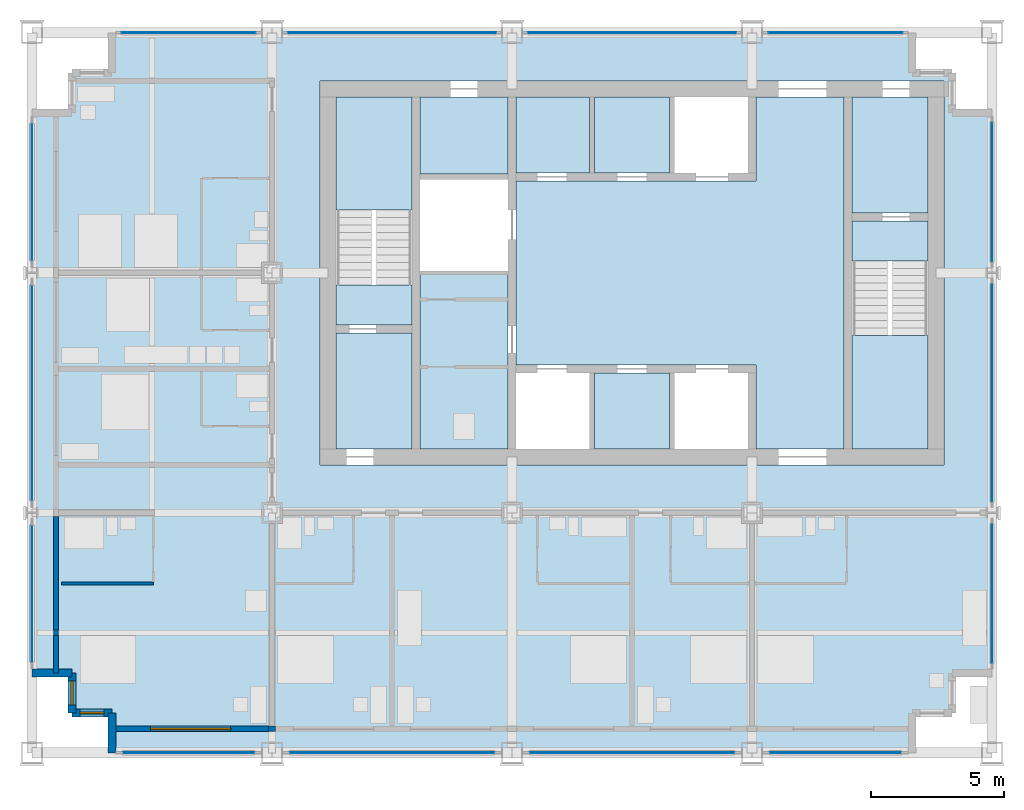
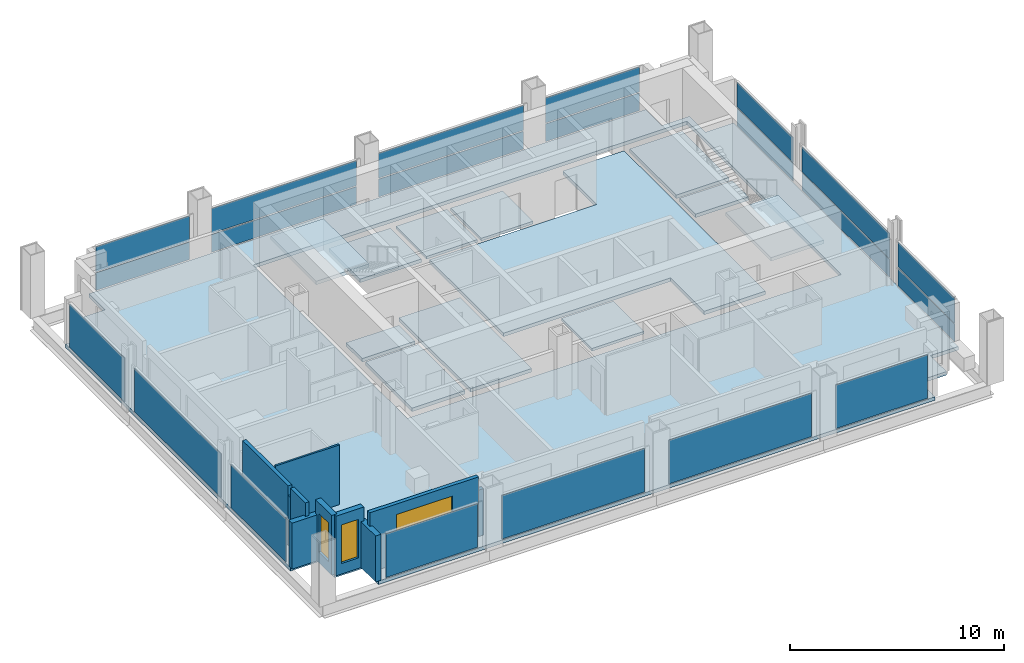
# One storey, part 5 of 12: 21 plates, 13 slabs, 10 walls, 3 windows, 3 openings, 16 elements without a shape of their own.
"""IFC4 building model written with IfcOpenShell, lengths in metres."""

from ifc_helpers import new_model, si_unit, direction, frame, frame_2d, origin, origin_2d, place, context, subcontext, project, spatial, polyline, rectangle, outline, extrude, material, layer, layer_set, type_object, element, fill, aggregate, save


model = new_model("IFC4")

# Units and contexts
model_context = context("Model", 3, precision=1e-05, world=origin(), true_north=direction((0.0, 1.0)))
body_context = subcontext(model_context, "Body", "Model", "MODEL_VIEW")
ifc_project = project(units=[si_unit("LENGTHUNIT", "METRE"), si_unit("AREAUNIT", "SQUARE_METRE"), si_unit("VOLUMEUNIT", "CUBIC_METRE"), si_unit("PLANEANGLEUNIT", "RADIAN"), si_unit("MASSUNIT", "GRAM", prefix="KILO")], contexts=[model_context])

# Site, building, storey
site_placement = place(None, origin())
site = spatial("IfcSite", under=ifc_project, at=site_placement, CompositionType="ELEMENT")
building_placement = place(site_placement, origin())
building = spatial("IfcBuilding", under=site, at=building_placement, Name="Loomwork Tower", CompositionType="ELEMENT")
storey_placement = place(building_placement, frame((0.0, 0.0, 230.199951171875)))
storey = spatial("IfcBuildingStorey", under=building, at=storey_placement, Name="L63", CompositionType="ELEMENT", Elevation=230.199951171875)

# Slabs
ifc_material_1 = material(Name="Concrete 5000 psi (34 MPa) on composite metal deck", Category="concrete")
ifc_layer_1 = layer(ifc_material_1, 0.199951171875)
ifc_layer_set_1 = layer_set([ifc_layer_1], Name="Floor slab 200")
slab_type_1 = type_object("IfcSlabType", Name="Floor slab 200", PredefinedType="FLOOR", material=ifc_layer_set_1)
slab_1_placement = place(storey_placement, frame((0.0, 0.0, -0.199951171875)))
element("IfcSlab", 1, at=slab_1_placement, inside=storey, type_object=slab_type_1, Name="Floor slab L63", PredefinedType="FLOOR", context=body_context, shape_type="SweptSolid", body=[
    extrude(outline(polyline([(3.0, 1.5), (1.5, 1.5), (1.5, 3.0), (0.0, 3.0), (0.0, 24.0), (1.5, 24.0), (1.5, 25.5), (3.0, 25.5), (3.0, 27.0), (33.0, 27.0), (33.0, 25.5), (34.5, 25.5), (34.5, 24.0), (36.0, 24.0), (36.0, 3.0), (34.5, 3.0), (34.5, 1.5), (33.0, 1.5), (33.0, 0.0), (3.0, 0.0), (3.0, 1.5)]), holes=[polyline([(10.800048828125, 11.39990234375), (10.800048828125, 11.39990234375), (10.800048828125, 10.800048828125), (34.199951171875, 10.800048828125), (34.199951171875, 11.39990234375), (34.199951171875, 11.39990234375), (34.199951171875, 24.60009765625), (34.199951171875, 25.199951171875), (10.800048828125, 25.199951171875), (10.800048828125, 24.60009765625), (10.800048828125, 11.39990234375)])]), origin(), (0.0, 0.0, 1.0), 0.199951171875),
])
slab_2_placement = place(storey_placement, frame((0.0, 0.0, -0.199951171875)))
element("IfcSlab", 2, at=slab_2_placement, inside=storey, type_object=slab_type_1, Name="Floor slab L63", PredefinedType="FLOOR", context=body_context, shape_type="SweptSolid", body=[
    extrude(outline(polyline([(30.449951171875, 24.60009765625), (30.449951171875, 11.39990234375), (27.14990234375, 11.39990234375), (27.14990234375, 14.25), (27.14990234375, 14.550048828125), (18.14990234375, 14.550048828125), (18.14990234375, 21.449951171875), (27.14990234375, 21.449951171875), (27.14990234375, 21.75), (27.14990234375, 24.60009765625), (30.449951171875, 24.60009765625)])), origin(), (0.0, 0.0, 1.0), 0.199951171875),
])
slab_3_placement = place(storey_placement, frame((0.0, 0.0, -0.199951171875)))
element("IfcSlab", 3, at=slab_3_placement, inside=storey, type_object=slab_type_1, Name="Floor slab L63", PredefinedType="FLOOR", context=body_context, shape_type="SweptSolid", body=[
    extrude(outline(polyline([(14.550048828125, 11.39990234375), (14.550048828125, 18.074951171875), (17.85009765625, 18.074951171875), (17.85009765625, 11.39990234375), (14.550048828125, 11.39990234375)])), origin(), (0.0, 0.0, 1.0), 0.199951171875),
])
slab_4_placement = place(storey_placement, frame((0.0, 0.0, -0.199951171875)))
element("IfcSlab", 4, at=slab_4_placement, inside=storey, type_object=slab_type_1, Name="Floor slab L63", PredefinedType="FLOOR", context=body_context, shape_type="SweptSolid", body=[
    extrude(outline(polyline([(33.60009765625, 20.25), (30.75, 20.25), (30.75, 24.60009765625), (33.60009765625, 24.60009765625), (33.60009765625, 20.25)])), origin(), (0.0, 0.0, 1.0), 0.199951171875),
])
slab_5_placement = place(storey_placement, frame((0.0, 0.0, -0.199951171875)))
element("IfcSlab", 5, at=slab_5_placement, inside=storey, type_object=slab_type_1, Name="Floor slab L63", PredefinedType="FLOOR", context=body_context, shape_type="SweptSolid", body=[
    extrude(outline(polyline([(14.25, 15.75), (14.25, 11.39990234375), (11.39990234375, 11.39990234375), (11.39990234375, 15.75), (14.25, 15.75)])), origin(), (0.0, 0.0, 1.0), 0.199951171875),
])
slab_6_placement = place(storey_placement, frame((0.0, 0.0, -0.199951171875)))
element("IfcSlab", 6, at=slab_6_placement, inside=storey, type_object=slab_type_1, Name="Floor slab L63", PredefinedType="FLOOR", context=body_context, shape_type="SweptSolid", body=[
    extrude(outline(polyline([(14.550048828125, 21.699951171875), (14.550048828125, 24.60009765625), (17.85009765625, 24.60009765625), (17.85009765625, 21.699951171875), (14.550048828125, 21.699951171875)])), origin(), (0.0, 0.0, 1.0), 0.199951171875),
])

# Curtain wall, plate
ifc_material_2 = material(Name="Aluminium curtain wall frame", Category="aluminium")
curtain_wall_type_1 = type_object("IfcCurtainWallType", Name="Outer skin glazing suites", PredefinedType="NOTDEFINED", material=ifc_material_2)
curtain_wall_1_placement = place(storey_placement, origin())
curtain_wall_1 = element("IfcCurtainWall", 7, at=curtain_wall_1_placement, inside=storey, type_object=curtain_wall_type_1, Name="Outer skin glazing suites cw/S-0", PredefinedType="NOTDEFINED")
ifc_material_3 = material(Name="Clear laminated glass", Category="glass")
ifc_layer_2 = layer(ifc_material_3, 0.02392578125)
ifc_layer_set_2 = layer_set([ifc_layer_2], Name="Outer skin glazing suites panel")
plate_type_1 = type_object("IfcPlateType", Name="Outer skin glazing suites panel", PredefinedType="CURTAIN_PANEL", material=ifc_layer_set_2)
plate_1_placement = place(storey_placement, frame((5.875, 0.0, 0.06494140625), z_axis=(0.0, 0.0, 1.0), x_axis=(1.0, 0.0, 0.0)))
plate_1 = element("IfcPlate", 8, at=plate_1_placement, type_object=plate_type_1, Name="CW2 panel 1.1", PredefinedType="CURTAIN_PANEL", context=body_context, shape_type="SweptSolid", body=[
    extrude(rectangle(XDim=4.949951171875, YDim=0.02392578125, at=origin_2d()), origin(), (0.0, 0.0, 1.0), 2.490234375),
])
aggregate(curtain_wall_1, [plate_1])

curtain_wall_2_placement = place(storey_placement, origin())
curtain_wall_2 = element("IfcCurtainWall", 9, at=curtain_wall_2_placement, inside=storey, type_object=curtain_wall_type_1, Name="Outer skin glazing suites cw/S-9", PredefinedType="NOTDEFINED")
plate_2_placement = place(storey_placement, frame((13.5, 0.0, 0.06494140625), z_axis=(0.0, 0.0, 1.0), x_axis=(1.0, 0.0, 0.0)))
plate_2 = element("IfcPlate", 10, at=plate_2_placement, type_object=plate_type_1, Name="CW2 panel 1.1", PredefinedType="CURTAIN_PANEL", context=body_context, shape_type="SweptSolid", body=[
    extrude(rectangle(XDim=7.699951171875, YDim=0.02392578125, at=origin_2d()), origin(), (0.0, 0.0, 1.0), 2.490234375),
])
aggregate(curtain_wall_2, [plate_2])

curtain_wall_3_placement = place(storey_placement, origin())
curtain_wall_3 = element("IfcCurtainWall", 11, at=curtain_wall_3_placement, inside=storey, type_object=curtain_wall_type_1, Name="Outer skin glazing suites cw/S-18", PredefinedType="NOTDEFINED")
plate_3_placement = place(storey_placement, frame((22.5, 0.0, 0.06494140625), z_axis=(0.0, 0.0, 1.0), x_axis=(1.0, 0.0, 0.0)))
plate_3 = element("IfcPlate", 12, at=plate_3_placement, type_object=plate_type_1, Name="CW2 panel 1.1", PredefinedType="CURTAIN_PANEL", context=body_context, shape_type="SweptSolid", body=[
    extrude(rectangle(XDim=7.699951171875, YDim=0.02392578125, at=origin_2d()), origin(), (0.0, 0.0, 1.0), 2.490234375),
])
aggregate(curtain_wall_3, [plate_3])

curtain_wall_4_placement = place(storey_placement, origin())
curtain_wall_4 = element("IfcCurtainWall", 13, at=curtain_wall_4_placement, inside=storey, type_object=curtain_wall_type_1, Name="Outer skin glazing suites cw/S-27", PredefinedType="NOTDEFINED")
plate_4_placement = place(storey_placement, frame((30.125, 0.0, 0.06494140625), z_axis=(0.0, 0.0, 1.0), x_axis=(1.0, 0.0, 0.0)))
plate_4 = element("IfcPlate", 14, at=plate_4_placement, type_object=plate_type_1, Name="CW2 panel 1.1", PredefinedType="CURTAIN_PANEL", context=body_context, shape_type="SweptSolid", body=[
    extrude(rectangle(XDim=4.949951171875, YDim=0.02392578125, at=origin_2d()), origin(), (0.0, 0.0, 1.0), 2.490234375),
])
aggregate(curtain_wall_4, [plate_4])

curtain_wall_5_placement = place(storey_placement, origin())
curtain_wall_5 = element("IfcCurtainWall", 15, at=curtain_wall_5_placement, inside=storey, type_object=curtain_wall_type_1, Name="Outer skin glazing suites cw/W-0", PredefinedType="NOTDEFINED")
plate_5_placement = place(storey_placement, frame((0.0, 5.969482421875, 0.06494140625), z_axis=(0.0, 0.0, 1.0), x_axis=(0.0, -1.0, 0.0)))
plate_5 = element("IfcPlate", 16, at=plate_5_placement, type_object=plate_type_1, Name="CW2 panel 1.1", PredefinedType="CURTAIN_PANEL", context=body_context, shape_type="SweptSolid", body=[
    extrude(rectangle(XDim=5.13916015625, YDim=0.02392578125, at=origin_2d()), origin(), (0.0, 0.0, 1.0), 2.490234375),
])
aggregate(curtain_wall_5, [plate_5])

curtain_wall_6_placement = place(storey_placement, origin())
curtain_wall_6 = element("IfcCurtainWall", 17, at=curtain_wall_6_placement, inside=storey, type_object=curtain_wall_type_1, Name="Outer skin glazing suites cw/W-9", PredefinedType="NOTDEFINED")
plate_6_placement = place(storey_placement, frame((0.0, 13.5, 0.06494140625), z_axis=(0.0, 0.0, 1.0), x_axis=(0.0, -1.0, 0.0)))
plate_6 = element("IfcPlate", 18, at=plate_6_placement, type_object=plate_type_1, Name="CW2 panel 1.1", PredefinedType="CURTAIN_PANEL", context=body_context, shape_type="SweptSolid", body=[
    extrude(rectangle(XDim=8.078369140625, YDim=0.02392578125, at=origin_2d()), origin(), (0.0, 0.0, 1.0), 2.490234375),
])
aggregate(curtain_wall_6, [plate_6])

curtain_wall_7_placement = place(storey_placement, origin())
curtain_wall_7 = element("IfcCurtainWall", 19, at=curtain_wall_7_placement, inside=storey, type_object=curtain_wall_type_1, Name="Outer skin glazing suites cw/W-18", PredefinedType="NOTDEFINED")
plate_7_placement = place(storey_placement, frame((0.0, 21.030517578125, 0.06494140625), z_axis=(0.0, 0.0, 1.0), x_axis=(0.0, -1.0, 0.0)))
plate_7 = element("IfcPlate", 20, at=plate_7_placement, type_object=plate_type_1, Name="CW2 panel 1.1", PredefinedType="CURTAIN_PANEL", context=body_context, shape_type="SweptSolid", body=[
    extrude(rectangle(XDim=5.13916015625, YDim=0.02392578125, at=origin_2d()), origin(), (0.0, 0.0, 1.0), 2.490234375),
])
aggregate(curtain_wall_7, [plate_7])

# Slabs
ifc_material_4 = material(Name="Concrete 5000 psi (34 MPa) on composite metal deck", Category="concrete")
ifc_layer_3 = layer(ifc_material_4, 0.14990234375)
ifc_layer_set_3 = layer_set([ifc_layer_3], Name="Shaft infill floor 150")
slab_type_2 = type_object("IfcSlabType", Name="Shaft infill floor 150", PredefinedType="FLOOR", material=ifc_layer_set_3)
slab_7_placement = place(storey_placement, frame((0.0, 0.0, -0.14990234375)))
element("IfcSlab", 21, at=slab_7_placement, inside=storey, type_object=slab_type_2, Name="Shaft infill floor LS1 L63", PredefinedType="FLOOR", context=body_context, shape_type="SweptSolid", body=[
    extrude(outline(polyline([(18.14990234375, 21.75), (20.89990234375, 21.75), (20.89990234375, 24.60009765625), (18.14990234375, 24.60009765625), (18.14990234375, 21.75)])), origin(), (0.0, 0.0, 1.0), 0.14990234375),
])
slab_8_placement = place(storey_placement, frame((0.0, 0.0, -0.14990234375)))
element("IfcSlab", 22, at=slab_8_placement, inside=storey, type_object=slab_type_2, Name="Shaft infill floor LS2 L63", PredefinedType="FLOOR", context=body_context, shape_type="SweptSolid", body=[
    extrude(outline(polyline([(21.10009765625, 21.75), (23.89990234375, 21.75), (23.89990234375, 24.60009765625), (21.10009765625, 24.60009765625), (21.10009765625, 21.75)])), origin(), (0.0, 0.0, 1.0), 0.14990234375),
])
slab_9_placement = place(storey_placement, frame((0.0, 0.0, -0.14990234375)))
element("IfcSlab", 23, at=slab_9_placement, inside=storey, type_object=slab_type_2, Name="Shaft infill floor S2 L63", PredefinedType="FLOOR", context=body_context, shape_type="SweptSolid", body=[
    extrude(outline(polyline([(21.10009765625, 11.39990234375), (23.89990234375, 11.39990234375), (23.89990234375, 14.25), (21.10009765625, 14.25), (21.10009765625, 11.39990234375)])), origin(), (0.0, 0.0, 1.0), 0.14990234375),
])

# Curtain wall, plates
ifc_material_5 = material(Name="Aluminium curtain wall frame", Category="aluminium")
curtain_wall_type_2 = type_object("IfcCurtainWallType", Name="Single skin glazing corridor", PredefinedType="NOTDEFINED", material=ifc_material_5)
curtain_wall_8_placement = place(storey_placement, origin())
curtain_wall_8 = element("IfcCurtainWall", 24, at=curtain_wall_8_placement, inside=storey, type_object=curtain_wall_type_2, Name="Single skin glazing corridor cw/N-0", PredefinedType="NOTDEFINED")
ifc_material_6 = material(Name="Clear insulated glass", Category="glass")
ifc_layer_4 = layer(ifc_material_6, 0.031982421875)
ifc_layer_set_4 = layer_set([ifc_layer_4], Name="Single skin glazing corridor panel")
plate_type_2 = type_object("IfcPlateType", Name="Single skin glazing corridor panel", PredefinedType="CURTAIN_PANEL", material=ifc_layer_set_4)
plate_8_placement = place(storey_placement, frame((5.875, 27.0, 0.065185546875), z_axis=(0.0, 0.0, 1.0), x_axis=(-1.0, 0.0, 0.0)))
plate_8 = element("IfcPlate", 25, at=plate_8_placement, type_object=plate_type_2, Name="CW3 panel 1.1", PredefinedType="CURTAIN_PANEL", context=body_context, shape_type="SweptSolid", body=[
    extrude(rectangle(XDim=5.050048828125, YDim=0.031982421875, at=origin_2d()), origin(), (0.0, 0.0, 1.0), 1.00244140625),
])
plate_9_placement = place(storey_placement, frame((5.875, 27.0, 1.1328125), z_axis=(0.0, 0.0, 1.0), x_axis=(-1.0, 0.0, 0.0)))
plate_9 = element("IfcPlate", 26, at=plate_9_placement, type_object=plate_type_2, Name="CW3 panel 1.2", PredefinedType="CURTAIN_PANEL", context=body_context, shape_type="SweptSolid", body=[
    extrude(rectangle(XDim=5.050048828125, YDim=0.031982421875, at=origin_2d()), origin(), (0.0, 0.0, 1.0), 1.422607421875),
])
aggregate(curtain_wall_8, [plate_8, plate_9])

curtain_wall_9_placement = place(storey_placement, origin())
curtain_wall_9 = element("IfcCurtainWall", 27, at=curtain_wall_9_placement, inside=storey, type_object=curtain_wall_type_2, Name="Single skin glazing corridor cw/N-9", PredefinedType="NOTDEFINED")
plate_10_placement = place(storey_placement, frame((13.5, 27.0, 0.065185546875), z_axis=(0.0, 0.0, 1.0), x_axis=(-1.0, 0.0, 0.0)))
plate_10 = element("IfcPlate", 28, at=plate_10_placement, type_object=plate_type_2, Name="CW3 panel 1.1", PredefinedType="CURTAIN_PANEL", context=body_context, shape_type="SweptSolid", body=[
    extrude(rectangle(XDim=7.800048828125, YDim=0.031982421875, at=origin_2d()), origin(), (0.0, 0.0, 1.0), 1.00244140625),
])
plate_11_placement = place(storey_placement, frame((13.5, 27.0, 1.1328125), z_axis=(0.0, 0.0, 1.0), x_axis=(-1.0, 0.0, 0.0)))
plate_11 = element("IfcPlate", 29, at=plate_11_placement, type_object=plate_type_2, Name="CW3 panel 1.2", PredefinedType="CURTAIN_PANEL", context=body_context, shape_type="SweptSolid", body=[
    extrude(rectangle(XDim=7.800048828125, YDim=0.031982421875, at=origin_2d()), origin(), (0.0, 0.0, 1.0), 1.422607421875),
])
aggregate(curtain_wall_9, [plate_10, plate_11])

curtain_wall_10_placement = place(storey_placement, origin())
curtain_wall_10 = element("IfcCurtainWall", 30, at=curtain_wall_10_placement, inside=storey, type_object=curtain_wall_type_2, Name="Single skin glazing corridor cw/N-18", PredefinedType="NOTDEFINED")
plate_12_placement = place(storey_placement, frame((22.5, 27.0, 0.065185546875), z_axis=(0.0, 0.0, 1.0), x_axis=(-1.0, 0.0, 0.0)))
plate_12 = element("IfcPlate", 31, at=plate_12_placement, type_object=plate_type_2, Name="CW3 panel 1.1", PredefinedType="CURTAIN_PANEL", context=body_context, shape_type="SweptSolid", body=[
    extrude(rectangle(XDim=7.800048828125, YDim=0.031982421875, at=origin_2d()), origin(), (0.0, 0.0, 1.0), 1.00244140625),
])
plate_13_placement = place(storey_placement, frame((22.5, 27.0, 1.1328125), z_axis=(0.0, 0.0, 1.0), x_axis=(-1.0, 0.0, 0.0)))
plate_13 = element("IfcPlate", 32, at=plate_13_placement, type_object=plate_type_2, Name="CW3 panel 1.2", PredefinedType="CURTAIN_PANEL", context=body_context, shape_type="SweptSolid", body=[
    extrude(rectangle(XDim=7.800048828125, YDim=0.031982421875, at=origin_2d()), origin(), (0.0, 0.0, 1.0), 1.422607421875),
])
aggregate(curtain_wall_10, [plate_12, plate_13])

curtain_wall_11_placement = place(storey_placement, origin())
curtain_wall_11 = element("IfcCurtainWall", 33, at=curtain_wall_11_placement, inside=storey, type_object=curtain_wall_type_2, Name="Single skin glazing corridor cw/N-27", PredefinedType="NOTDEFINED")
plate_14_placement = place(storey_placement, frame((30.125, 27.0, 0.065185546875), z_axis=(0.0, 0.0, 1.0), x_axis=(-1.0, 0.0, 0.0)))
plate_14 = element("IfcPlate", 34, at=plate_14_placement, type_object=plate_type_2, Name="CW3 panel 1.1", PredefinedType="CURTAIN_PANEL", context=body_context, shape_type="SweptSolid", body=[
    extrude(rectangle(XDim=5.050048828125, YDim=0.031982421875, at=origin_2d()), origin(), (0.0, 0.0, 1.0), 1.00244140625),
])
plate_15_placement = place(storey_placement, frame((30.125, 27.0, 1.1328125), z_axis=(0.0, 0.0, 1.0), x_axis=(-1.0, 0.0, 0.0)))
plate_15 = element("IfcPlate", 35, at=plate_15_placement, type_object=plate_type_2, Name="CW3 panel 1.2", PredefinedType="CURTAIN_PANEL", context=body_context, shape_type="SweptSolid", body=[
    extrude(rectangle(XDim=5.050048828125, YDim=0.031982421875, at=origin_2d()), origin(), (0.0, 0.0, 1.0), 1.422607421875),
])
aggregate(curtain_wall_11, [plate_14, plate_15])

curtain_wall_12_placement = place(storey_placement, origin())
curtain_wall_12 = element("IfcCurtainWall", 36, at=curtain_wall_12_placement, inside=storey, type_object=curtain_wall_type_2, Name="Single skin glazing corridor cw/E-0", PredefinedType="NOTDEFINED")
plate_16_placement = place(storey_placement, frame((36.0, 5.969482421875, 0.065185546875), z_axis=(0.0, 0.0, 1.0), x_axis=(0.0, 1.0, 0.0)))
plate_16 = element("IfcPlate", 37, at=plate_16_placement, type_object=plate_type_2, Name="CW3 panel 1.1", PredefinedType="CURTAIN_PANEL", context=body_context, shape_type="SweptSolid", body=[
    extrude(rectangle(XDim=5.2392578125, YDim=0.031982421875, at=origin_2d()), origin(), (0.0, 0.0, 1.0), 1.00244140625),
])
plate_17_placement = place(storey_placement, frame((36.0, 5.969482421875, 1.1328125), z_axis=(0.0, 0.0, 1.0), x_axis=(0.0, 1.0, 0.0)))
plate_17 = element("IfcPlate", 38, at=plate_17_placement, type_object=plate_type_2, Name="CW3 panel 1.2", PredefinedType="CURTAIN_PANEL", context=body_context, shape_type="SweptSolid", body=[
    extrude(rectangle(XDim=5.2392578125, YDim=0.031982421875, at=origin_2d()), origin(), (0.0, 0.0, 1.0), 1.422607421875),
])
aggregate(curtain_wall_12, [plate_16, plate_17])

curtain_wall_13_placement = place(storey_placement, origin())
curtain_wall_13 = element("IfcCurtainWall", 39, at=curtain_wall_13_placement, inside=storey, type_object=curtain_wall_type_2, Name="Single skin glazing corridor cw/E-9", PredefinedType="NOTDEFINED")
plate_18_placement = place(storey_placement, frame((36.0, 13.5, 0.065185546875), z_axis=(0.0, 0.0, 1.0), x_axis=(0.0, 1.0, 0.0)))
plate_18 = element("IfcPlate", 40, at=plate_18_placement, type_object=plate_type_2, Name="CW3 panel 1.1", PredefinedType="CURTAIN_PANEL", context=body_context, shape_type="SweptSolid", body=[
    extrude(rectangle(XDim=8.178466796875, YDim=0.031982421875, at=origin_2d()), origin(), (0.0, 0.0, 1.0), 1.00244140625),
])
plate_19_placement = place(storey_placement, frame((36.0, 13.5, 1.1328125), z_axis=(0.0, 0.0, 1.0), x_axis=(0.0, 1.0, 0.0)))
plate_19 = element("IfcPlate", 41, at=plate_19_placement, type_object=plate_type_2, Name="CW3 panel 1.2", PredefinedType="CURTAIN_PANEL", context=body_context, shape_type="SweptSolid", body=[
    extrude(rectangle(XDim=8.178466796875, YDim=0.031982421875, at=origin_2d()), origin(), (0.0, 0.0, 1.0), 1.422607421875),
])
aggregate(curtain_wall_13, [plate_18, plate_19])

curtain_wall_14_placement = place(storey_placement, origin())
curtain_wall_14 = element("IfcCurtainWall", 42, at=curtain_wall_14_placement, inside=storey, type_object=curtain_wall_type_2, Name="Single skin glazing corridor cw/E-18", PredefinedType="NOTDEFINED")
plate_20_placement = place(storey_placement, frame((36.0, 21.030517578125, 0.065185546875), z_axis=(0.0, 0.0, 1.0), x_axis=(0.0, 1.0, 0.0)))
plate_20 = element("IfcPlate", 43, at=plate_20_placement, type_object=plate_type_2, Name="CW3 panel 1.1", PredefinedType="CURTAIN_PANEL", context=body_context, shape_type="SweptSolid", body=[
    extrude(rectangle(XDim=5.2392578125, YDim=0.031982421875, at=origin_2d()), origin(), (0.0, 0.0, 1.0), 1.00244140625),
])
plate_21_placement = place(storey_placement, frame((36.0, 21.030517578125, 1.1328125), z_axis=(0.0, 0.0, 1.0), x_axis=(0.0, 1.0, 0.0)))
plate_21 = element("IfcPlate", 44, at=plate_21_placement, type_object=plate_type_2, Name="CW3 panel 1.2", PredefinedType="CURTAIN_PANEL", context=body_context, shape_type="SweptSolid", body=[
    extrude(rectangle(XDim=5.2392578125, YDim=0.031982421875, at=origin_2d()), origin(), (0.0, 0.0, 1.0), 1.422607421875),
])
aggregate(curtain_wall_14, [plate_20, plate_21])

# Stair, slabs
ifc_material_7 = material(Name="Concrete 5000 psi (34 MPa) precast stair", Category="concrete")
stair_type_1 = type_object("IfcStairType", Name="Stair ST-A 22 risers 2850 wide", PredefinedType="HALF_TURN_STAIR", material=ifc_material_7)
stair_1_placement = place(storey_placement, origin())
stair_1 = element("IfcStair", 45, at=stair_1_placement, inside=storey, type_object=stair_type_1, Name="Stair A L63", PredefinedType="HALF_TURN_STAIR")
ifc_material_8 = material(Name="Concrete 5000 psi (34 MPa)", Category="concrete")
ifc_layer_5 = layer(ifc_material_8, 0.199951171875)
ifc_layer_set_5 = layer_set([ifc_layer_5], Name="Stair landing 200")
slab_type_3 = type_object("IfcSlabType", Name="Stair landing 200", PredefinedType="LANDING", material=ifc_layer_set_5)
slab_10_placement = place(storey_placement, frame((0.0, 0.0, -0.199951171875)))
slab_10 = element("IfcSlab", 46, at=slab_10_placement, type_object=slab_type_3, Name="ST-A landing 1", PredefinedType="LANDING", context=body_context, shape_type="SweptSolid", body=[
    extrude(outline(polyline([(11.39990234375, 16.050048828125), (14.25, 16.050048828125), (14.25, 17.550048828125), (11.39990234375, 17.550048828125), (11.39990234375, 16.050048828125)])), origin(), (0.0, 0.0, 1.0), 0.199951171875),
])
slab_11_placement = place(storey_placement, frame((0.0, 0.0, 1.60009765625)))
slab_11 = element("IfcSlab", 47, at=slab_11_placement, type_object=slab_type_3, Name="ST-A landing 2", PredefinedType="LANDING", context=body_context, shape_type="SweptSolid", body=[
    extrude(outline(polyline([(11.39990234375, 20.35009765625), (14.25, 20.35009765625), (14.25, 24.60009765625), (11.39990234375, 24.60009765625), (11.39990234375, 20.35009765625)])), origin(), (0.0, 0.0, 1.0), 0.199951171875),
])
aggregate(stair_1, [slab_10, slab_11])

ifc_material_9 = material(Name="Concrete 5000 psi (34 MPa) precast stair", Category="concrete")
stair_type_2 = type_object("IfcStairType", Name="Stair ST-B 22 risers 2850 wide", PredefinedType="HALF_TURN_STAIR", material=ifc_material_9)
stair_2_placement = place(storey_placement, origin())
stair_2 = element("IfcStair", 48, at=stair_2_placement, inside=storey, type_object=stair_type_2, Name="Stair B L63", PredefinedType="HALF_TURN_STAIR")
slab_12_placement = place(storey_placement, frame((0.0, 0.0, -0.199951171875)))
slab_12 = element("IfcSlab", 49, at=slab_12_placement, type_object=slab_type_3, Name="ST-B landing 1", PredefinedType="LANDING", context=body_context, shape_type="SweptSolid", body=[
    extrude(outline(polyline([(30.75, 18.449951171875), (33.60009765625, 18.449951171875), (33.60009765625, 19.949951171875), (30.75, 19.949951171875), (30.75, 18.449951171875)])), origin(), (0.0, 0.0, 1.0), 0.199951171875),
])
slab_13_placement = place(storey_placement, frame((0.0, 0.0, 1.60009765625)))
slab_13 = element("IfcSlab", 50, at=slab_13_placement, type_object=slab_type_3, Name="ST-B landing 2", PredefinedType="LANDING", context=body_context, shape_type="SweptSolid", body=[
    extrude(outline(polyline([(30.75, 11.39990234375), (33.60009765625, 11.39990234375), (33.60009765625, 15.64990234375), (30.75, 15.64990234375), (30.75, 11.39990234375)])), origin(), (0.0, 0.0, 1.0), 0.199951171875),
])
aggregate(stair_2, [slab_12, slab_13])

# Wall
ifc_material_10 = material(Name="Cement board on steel studs", Category="steel")
ifc_layer_6 = layer(ifc_material_10, 0.10009765625)
ifc_layer_set_6 = layer_set([ifc_layer_6], Name="En-suite partition 100")
wall_type_1 = type_object("IfcWallType", Name="En-suite partition 100", PredefinedType="PARTITIONING", material=ifc_layer_set_6)
wall_1_placement = place(storey_placement, frame((1.10009765625, 6.35009765625, 0.0), z_axis=(0.0, 0.0, 1.0), x_axis=(1.0, 0.0, 0.0)))
element("IfcWall", 51, at=wall_1_placement, inside=storey, type_object=wall_type_1, Name="En-suite wall L63 room 1", PredefinedType="PARTITIONING", context=body_context, shape_type="SweptSolid", body=[
    extrude(rectangle(XDim=3.449951171875, YDim=0.10009765625, at=frame_2d((1.72509765625, 0.0))), origin(), (0.0, 0.0, 1.0), 3.400146484375),
])

# Wall, opening, window
ifc_material_11 = material(Name="Insulated steel stud wall with gypsum lining", Category="steel")
ifc_layer_7 = layer(ifc_material_11, 0.199951171875)
ifc_layer_set_7 = layer_set([ifc_layer_7], Name="Inner skin wall 200")
wall_type_2 = type_object("IfcWallType", Name="Inner skin wall 200", PredefinedType="SOLIDWALL", material=ifc_layer_set_7)
wall_2_placement = place(storey_placement, frame((3.0, 0.89990234375, 0.0), z_axis=(0.0, 0.0, 1.0), x_axis=(1.0, 0.0, 0.0)))
wall_2 = element("IfcWall", 52, at=wall_2_placement, inside=storey, type_object=wall_type_2, Name="Inner skin wall S", PredefinedType="SOLIDWALL", context=body_context, shape_type="SweptSolid", body=[
    extrude(rectangle(XDim=5.86474609375, YDim=0.199951171875, at=frame_2d((2.932373046875, 0.0))), origin(), (0.0, 0.0, 1.0), 3.400146484375),
])
opening_1_placement = place(wall_2_placement, frame((1.449951171875, 0.0, 0.60009765625)))
opening_1 = element("IfcOpeningElement", 53, at=opening_1_placement, cuts=wall_2, Name="Opening CH1", PredefinedType="OPENING", context=body_context, shape_type="SweptSolid", body=[
    extrude(rectangle(XDim=3.0, YDim=2.199951171875, at=frame_2d((1.5, 1.10009765625))), frame((0.0, 0.10986328125, 0.0), z_axis=(0.0, -1.0, 0.0), x_axis=(1.0, 0.0, 0.0)), (0.0, 0.0, 1.0), 0.219970703125),
])
ifc_material_12 = material(Name="Aluminium frame with clear insulated glass", Category="aluminium")
window_type_1 = type_object("IfcWindowType", Name="Chicago window 3000", PartitioningType="TRIPLE_PANEL_VERTICAL", PredefinedType="WINDOW", material=ifc_material_12)
window_1_placement = place(opening_1_placement, origin())
window_1 = element("IfcWindow", 54, at=window_1_placement, inside=storey, type_object=window_type_1, Name="Chicago window L63 bay 1", OverallHeight=2.199951171875, OverallWidth=3.0, PartitioningType="TRIPLE_PANEL_VERTICAL", PredefinedType="WINDOW", context=body_context, shape_type="SweptSolid", body=[
    extrude(rectangle(XDim=3.0, YDim=2.199951171875, at=frame_2d((1.5, 1.10009765625))), frame((0.0, 0.030029296875, 0.0), z_axis=(0.0, -1.0, 0.0), x_axis=(1.0, 0.0, 0.0)), (0.0, 0.0, 1.0), 0.06005859375),
])
fill(opening_1, window_1)

# Walls
wall_3_placement = place(storey_placement, frame((0.89990234375, 3.0, 0.0), z_axis=(0.0, 0.0, 1.0), x_axis=(0.0, 1.0, 0.0)))
element("IfcWall", 55, at=wall_3_placement, inside=storey, type_object=wall_type_2, Name="Inner skin wall W", PredefinedType="SOLIDWALL", context=body_context, shape_type="SweptSolid", body=[
    extrude(rectangle(XDim=1.392578125, YDim=0.199951171875, at=frame_2d((0.6962890625, 0.0))), origin(), (0.0, 0.0, 1.0), 3.400146484375),
])
wall_4_placement = place(storey_placement, frame((8.86474609375, 0.89990234375, 0.0), z_axis=(0.0, 0.0, 1.0), x_axis=(1.0, 0.0, 0.0)))
element("IfcWall", 56, at=wall_4_placement, inside=storey, type_object=wall_type_2, Name="Inner skin wall S bay 2", PredefinedType="SOLIDWALL", context=body_context, shape_type="SweptSolid", body=[
    extrude(rectangle(XDim=0.2705078125, YDim=0.199951171875, at=frame_2d((0.13525390625, 0.0))), origin(), (0.0, 0.0, 1.0), 2.637939453125),
])
wall_5_placement = place(storey_placement, frame((0.89990234375, 4.392578125, 0.0), z_axis=(0.0, 0.0, 1.0), x_axis=(0.0, 1.0, 0.0)))
element("IfcWall", 57, at=wall_5_placement, inside=storey, type_object=wall_type_2, Name="Inner skin wall W bay 2", PredefinedType="SOLIDWALL", context=body_context, shape_type="SweptSolid", body=[
    extrude(rectangle(XDim=0.21484375, YDim=0.199951171875, at=frame_2d((0.107421875, 0.0))), origin(), (0.0, 0.0, 1.0), 2.861083984375),
])
wall_6_placement = place(storey_placement, frame((0.89990234375, 4.607421875, 0.0), z_axis=(0.0, 0.0, 1.0), x_axis=(0.0, 1.0, 0.0)))
element("IfcWall", 58, at=wall_6_placement, inside=storey, type_object=wall_type_2, Name="Inner skin wall W bay 3", PredefinedType="SOLIDWALL", context=body_context, shape_type="SweptSolid", body=[
    extrude(rectangle(XDim=4.25732421875, YDim=0.199951171875, at=frame_2d((2.128662109375, 0.0))), origin(), (0.0, 0.0, 1.0), 3.400146484375),
])
ifc_material_13 = material(Name="Limestone on concrete masonry", Category="masonry")
ifc_layer_8 = layer(ifc_material_13, 0.300048828125)
ifc_layer_set_8 = layer_set([ifc_layer_8], Name="Limestone corner wall 300")
wall_type_3 = type_object("IfcWallType", Name="Limestone corner wall 300", PredefinedType="SOLIDWALL", material=ifc_layer_set_8)
wall_7_placement = place(storey_placement, frame((0.0, 3.0, 0.0), z_axis=(0.0, 0.0, 1.0), x_axis=(1.0, 0.0, 0.0)))
element("IfcWall", 59, at=wall_7_placement, inside=storey, type_object=wall_type_3, Name="Stone corner wall SW 1", PredefinedType="SOLIDWALL", context=body_context, shape_type="SweptSolid", body=[
    extrude(rectangle(XDim=1.5, YDim=0.300048828125, at=frame_2d((0.75, 0.0))), origin(), (0.0, 0.0, 1.0), 2.6201171875),
])

# Wall, opening, window
wall_8_placement = place(storey_placement, frame((1.5, 3.0, 0.0), z_axis=(0.0, 0.0, 1.0), x_axis=(0.0, -1.0, 0.0)))
wall_8 = element("IfcWall", 60, at=wall_8_placement, inside=storey, type_object=wall_type_3, Name="Stone corner wall SW 2", PredefinedType="SOLIDWALL", context=body_context, shape_type="SweptSolid", body=[
    extrude(rectangle(XDim=1.5, YDim=0.300048828125, at=frame_2d((0.75, 0.0))), origin(), (0.0, 0.0, 1.0), 3.400146484375),
])
opening_2_placement = place(wall_8_placement, frame((0.300048828125, 0.0, 0.60009765625)))
opening_2 = element("IfcOpeningElement", 61, at=opening_2_placement, cuts=wall_8, Name="Opening CH2", PredefinedType="OPENING", context=body_context, shape_type="SweptSolid", body=[
    extrude(rectangle(XDim=0.89990234375, YDim=2.199951171875, at=frame_2d((0.449951171875, 1.10009765625))), frame((0.0, 0.159912109375, 0.0), z_axis=(0.0, -1.0, 0.0), x_axis=(1.0, 0.0, 0.0)), (0.0, 0.0, 1.0), 0.320068359375),
])
ifc_material_14 = material(Name="Aluminium frame with clear insulated glass", Category="aluminium")
window_type_2 = type_object("IfcWindowType", Name="Corner window 900", PartitioningType="SINGLE_PANEL", PredefinedType="WINDOW", material=ifc_material_14)
window_2_placement = place(opening_2_placement, origin())
window_2 = element("IfcWindow", 62, at=window_2_placement, inside=storey, type_object=window_type_2, Name="Corner window SW", OverallHeight=2.199951171875, OverallWidth=0.89990234375, PartitioningType="SINGLE_PANEL", PredefinedType="WINDOW", context=body_context, shape_type="SweptSolid", body=[
    extrude(rectangle(XDim=0.89990234375, YDim=2.199951171875, at=frame_2d((0.449951171875, 1.10009765625))), frame((0.0, 0.030029296875, 0.0), z_axis=(0.0, -1.0, 0.0), x_axis=(1.0, 0.0, 0.0)), (0.0, 0.0, 1.0), 0.06005859375),
])
fill(opening_2, window_2)

wall_9_placement = place(storey_placement, frame((1.5, 1.5, 0.0), z_axis=(0.0, 0.0, 1.0), x_axis=(1.0, 0.0, 0.0)))
wall_9 = element("IfcWall", 63, at=wall_9_placement, inside=storey, type_object=wall_type_3, Name="Stone corner wall SW 3", PredefinedType="SOLIDWALL", context=body_context, shape_type="SweptSolid", body=[
    extrude(rectangle(XDim=1.5, YDim=0.300048828125, at=frame_2d((0.75, 0.0))), origin(), (0.0, 0.0, 1.0), 3.400146484375),
])
opening_3_placement = place(wall_9_placement, frame((0.300048828125, 0.0, 0.60009765625)))
opening_3 = element("IfcOpeningElement", 64, at=opening_3_placement, cuts=wall_9, Name="Opening CH2", PredefinedType="OPENING", context=body_context, shape_type="SweptSolid", body=[
    extrude(rectangle(XDim=0.89990234375, YDim=2.199951171875, at=frame_2d((0.449951171875, 1.10009765625))), frame((0.0, 0.159912109375, 0.0), z_axis=(0.0, -1.0, 0.0), x_axis=(1.0, 0.0, 0.0)), (0.0, 0.0, 1.0), 0.320068359375),
])
window_3_placement = place(opening_3_placement, origin())
window_3 = element("IfcWindow", 65, at=window_3_placement, inside=storey, type_object=window_type_2, Name="Corner window SW", OverallHeight=2.199951171875, OverallWidth=0.89990234375, PartitioningType="SINGLE_PANEL", PredefinedType="WINDOW", context=body_context, shape_type="SweptSolid", body=[
    extrude(rectangle(XDim=0.89990234375, YDim=2.199951171875, at=frame_2d((0.449951171875, 1.10009765625))), frame((0.0, 0.030029296875, 0.0), z_axis=(0.0, -1.0, 0.0), x_axis=(1.0, 0.0, 0.0)), (0.0, 0.0, 1.0), 0.06005859375),
])
fill(opening_3, window_3)

# Wall
wall_10_placement = place(storey_placement, frame((3.0, 1.5, 0.0), z_axis=(0.0, 0.0, 1.0), x_axis=(0.0, -1.0, 0.0)))
element("IfcWall", 66, at=wall_10_placement, inside=storey, type_object=wall_type_3, Name="Stone corner wall SW 4", PredefinedType="SOLIDWALL", context=body_context, shape_type="SweptSolid", body=[
    extrude(rectangle(XDim=1.5, YDim=0.300048828125, at=frame_2d((0.75, 0.0))), origin(), (0.0, 0.0, 1.0), 2.6201171875),
])

save(model, "model.ifc")
